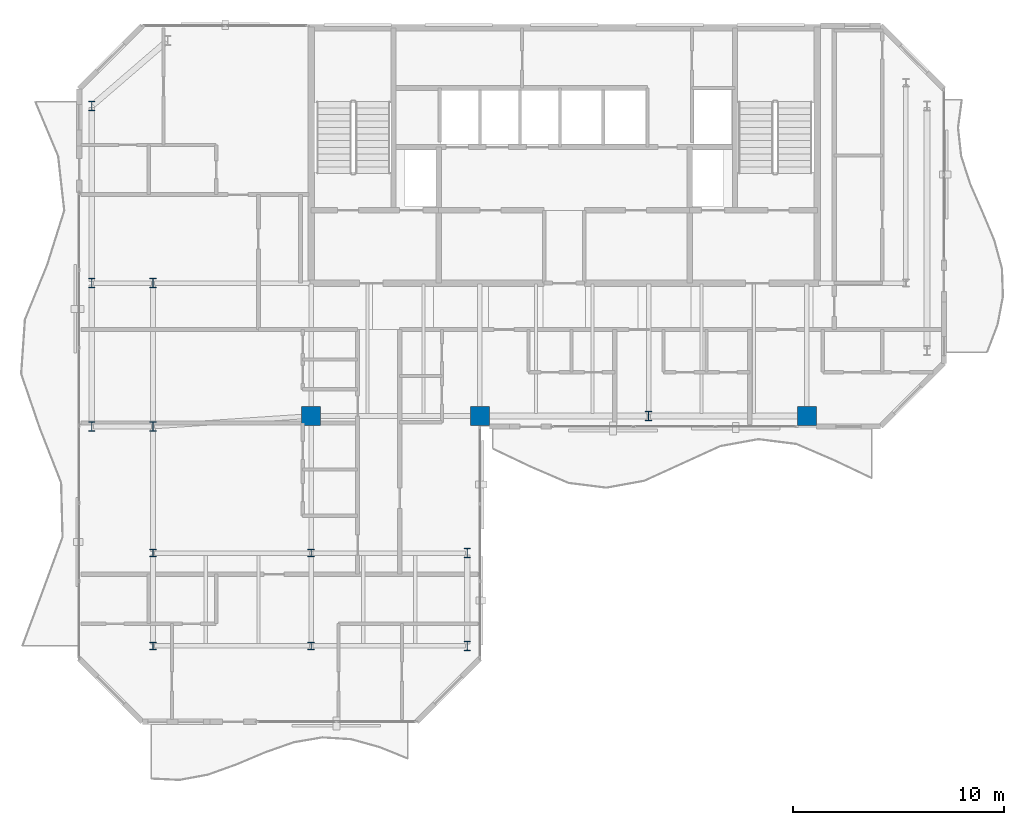
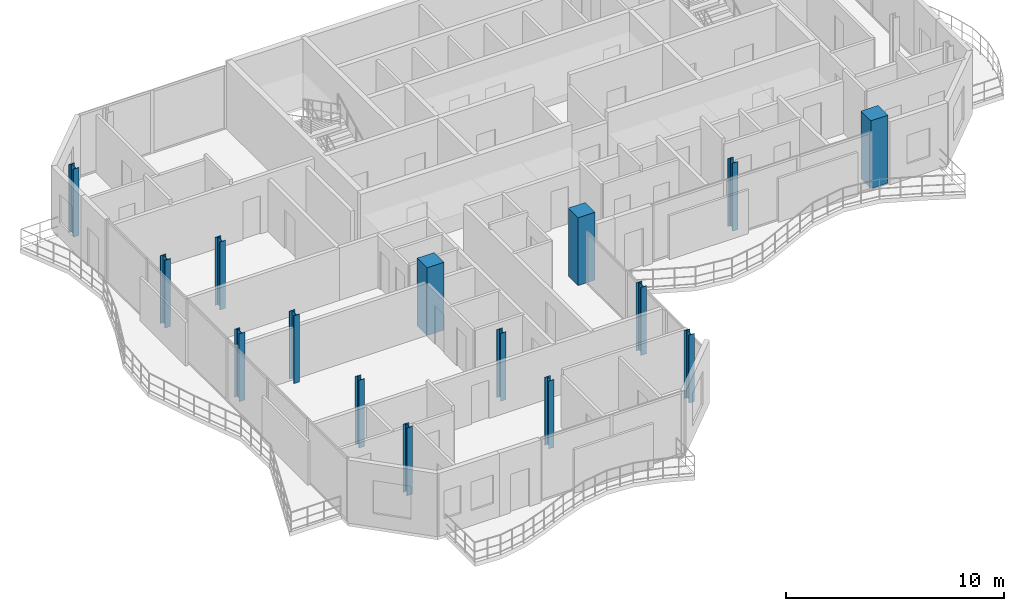
# One storey, part 1 of 22: 15 columns.
"""IFC4 building model written with IfcOpenShell, lengths in metres."""

from ifc_helpers import new_model, si_unit, direction, frame, origin, origin_2d, place, context, subcontext, project, spatial, rectangle, i_section, extrude, material, material_profile, profile_set, type_object, element, save


model = new_model("IFC4")

# Units and contexts
model_context = context("Model", 3, precision=1e-05, world=origin(), true_north=direction((0.0, 1.0)))
body_context = subcontext(model_context, "Body", "Model", "MODEL_VIEW")
ifc_project = project(units=[si_unit("LENGTHUNIT", "METRE"), si_unit("AREAUNIT", "SQUARE_METRE"), si_unit("VOLUMEUNIT", "CUBIC_METRE"), si_unit("PLANEANGLEUNIT", "RADIAN"), si_unit("MASSUNIT", "GRAM", prefix="KILO")], contexts=[model_context])

# Site, building, storey
site_placement = place(None, origin())
site = spatial("IfcSite", under=ifc_project, at=site_placement, CompositionType="ELEMENT")
building_placement = place(site_placement, origin())
building = spatial("IfcBuilding", under=site, at=building_placement, Name="Catumbela Crestline Tower", CompositionType="ELEMENT")
storey_placement = place(building_placement, frame((0.0, 0.0, 233.6)))
storey = spatial("IfcBuildingStorey", under=building, at=storey_placement, Name="L60", CompositionType="ELEMENT", Elevation=233.6)

# Columns
ifc_material_1 = material(Name="Concrete C45/55", Category="concrete")
ifc_material_profile_1 = material_profile(ifc_material_1, rectangle(XDim=0.9, YDim=0.9, at=origin_2d()), Name="RC 900x900")
ifc_profile_set_1 = profile_set([ifc_material_profile_1], Name="Concrete C45/55")
column_type_1 = type_object("IfcColumnType", Name="C-RC900-C45", PredefinedType="COLUMN", material=ifc_profile_set_1)
for number, where, z_axis, x_axis, name in (
    (1, (16.0, 24.5, 0.0), (0.0, 0.0, 1.0), (1.0, 0.0, 0.0), "L60 Column C-16-24 (RC 900x900)"),
    (2, (24.0, 24.5, 0.0), (0.0, 0.0, 1.0), (1.0, 0.0, 0.0), "L60 Column C-24-24 (RC 900x900)"),
    (3, (39.5, 24.5, 0.0), (0.0, 0.0, 1.0), (1.0, 0.0, 0.0), "L60 Column C-40-24 (RC 900x900)"),
):
    element("IfcColumn", number, at=place(storey_placement, frame(where, z_axis=z_axis, x_axis=x_axis)), inside=storey, type_object=column_type_1, Name=name, PredefinedType="COLUMN", context=body_context, shape_type="SweptSolid", body=[
        extrude(rectangle(XDim=0.9, YDim=0.9, at=origin_2d()), origin(), (0.0, 0.0, 1.0), 3.8),
    ])
ifc_material_2 = material(Name="Structural steel S355J2", Category="steel")
ifc_material_profile_2 = material_profile(ifc_material_2, i_section(OverallWidth=0.3, OverallDepth=0.36, WebThickness=0.0125, FlangeThickness=0.0225, FilletRadius=0.027, at=origin_2d()), Name="HEB 360")
ifc_profile_set_2 = profile_set([ifc_material_profile_2], Name="Structural steel S355J2")
column_type_2 = type_object("IfcColumnType", Name="C-ST-HEB360", PredefinedType="COLUMN", material=ifc_profile_set_2)
for number, where, z_axis, x_axis, name in (
    (4, (8.5, 13.6, 0.0), (0.0, 0.0, 1.0), (1.0, 0.0, 0.0), "L60 Column CT-05-10 (HEB 360)"),
    (5, (16.0, 13.6, 0.0), (0.0, 0.0, 1.0), (1.0, 0.0, 0.0), "L60 Column CT-14-10 (HEB 360)"),
    (6, (8.5, 18.0, 0.0), (0.0, 0.0, 1.0), (1.0, 0.0, 0.0), "L60 Column CT-05-16 (HEB 360)"),
    (7, (16.0, 18.0, 0.0), (0.0, 0.0, 1.0), (1.0, 0.0, 0.0), "L60 Column CT-14-16 (HEB 360)"),
):
    element("IfcColumn", number, at=place(storey_placement, frame(where, z_axis=z_axis, x_axis=x_axis)), inside=storey, type_object=column_type_2, Name=name, PredefinedType="COLUMN", context=body_context, shape_type="SweptSolid", body=[
        extrude(i_section(OverallWidth=0.3, OverallDepth=0.36, WebThickness=0.0125, FlangeThickness=0.0225, FilletRadius=0.027, at=origin_2d()), origin(), (0.0, 0.0, 1.0), 3.8),
    ])
ifc_material_profile_3 = material_profile(ifc_material_2, i_section(OverallWidth=0.3, OverallDepth=0.45, WebThickness=0.014, FlangeThickness=0.026, FilletRadius=0.027, at=origin_2d()), Name="HEB 450")
ifc_profile_set_3 = profile_set([ifc_material_profile_3], Name="Structural steel S355J2")
column_type_3 = type_object("IfcColumnType", Name="C-ST-HEB450", PredefinedType="COLUMN", material=ifc_profile_set_3)
for number, where, z_axis, x_axis, name in (
    (8, (8.5, 24.0, 0.0), (0.0, 0.0, 1.0), (1.0, 0.0, 0.0), "L60 Column C-08-24 (HEB 450)"),
    (9, (32.0, 24.5, 0.0), (0.0, 0.0, 1.0), (1.0, 0.0, 0.0), "L60 Column C-32-24 (HEB 450)"),
    (10, (5.6, 24.0, 0.0), (0.0, 0.0, 1.0), (1.0, 0.0, 0.0), "L60 Column C-05-24 (HEB 450)"),
    (11, (5.6, 30.8, 0.0), (0.0, 0.0, 1.0), (1.0, 0.0, 0.0), "L60 Column C-05-31 (HEB 450)"),
    (12, (5.6, 39.2, 0.0), (0.0, 0.0, 1.0), (1.0, 0.0, 0.0), "L60 Column C-05-43 (HEB 450)"),
    (13, (8.5, 30.8, 0.0), (0.0, 0.0, 1.0), (1.0, 0.0, 0.0), "L60 Column C-08-31 (HEB 450)"),
    (14, (23.4, 13.6, 0.0), (0.0, 0.0, 1.0), (1.0, 0.0, 0.0), "L60 Column C-24-10 (HEB 450)"),
    (15, (23.4, 18.0, 0.0), (0.0, 0.0, 1.0), (1.0, 0.0, 0.0), "L60 Column C-24-16 (HEB 450)"),
):
    element("IfcColumn", number, at=place(storey_placement, frame(where, z_axis=z_axis, x_axis=x_axis)), inside=storey, type_object=column_type_3, Name=name, PredefinedType="COLUMN", context=body_context, shape_type="SweptSolid", body=[
        extrude(i_section(OverallWidth=0.3, OverallDepth=0.45, WebThickness=0.014, FlangeThickness=0.026, FilletRadius=0.027, at=origin_2d()), origin(), (0.0, 0.0, 1.0), 3.8),
    ])

save(model, "model.ifc")
